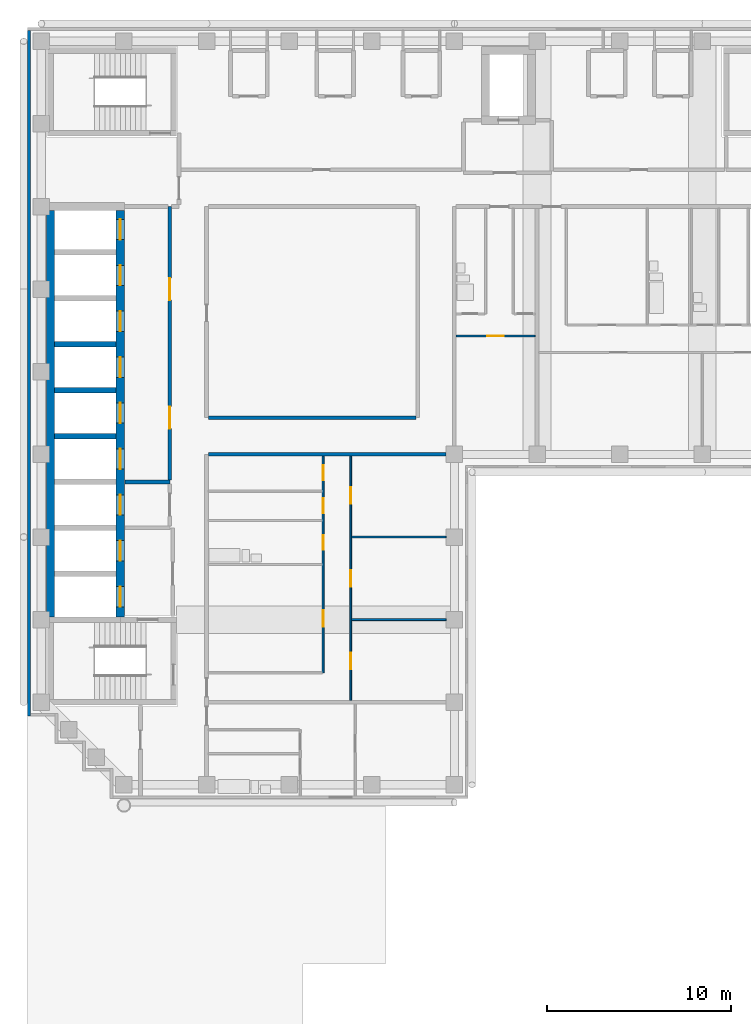
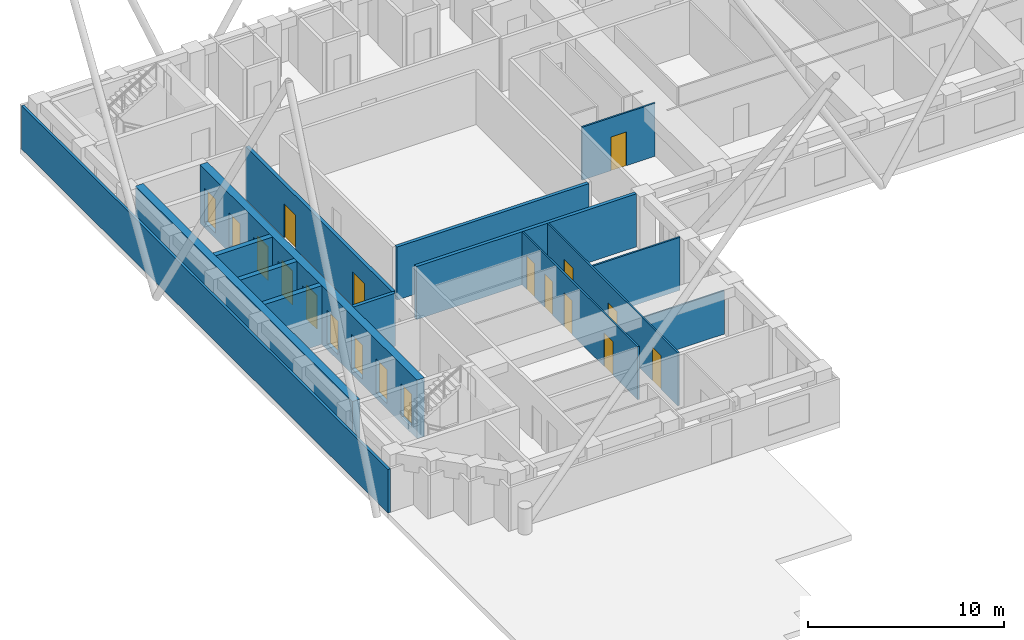
# One storey, part 3 of 9: 19 doors, 15 walls, 19 openings.
"""IFC4 building model written with IfcOpenShell, lengths in metres."""

from ifc_helpers import new_model, si_unit, direction, frame, frame_2d, origin, place, context, subcontext, project, spatial, rectangle, extrude, material, layer, layer_set, type_object, element, fill, save


model = new_model("IFC4")

# Units and contexts
model_context = context("Model", 3, precision=1e-05, world=origin(), true_north=direction((0.0, 1.0)))
body_context = subcontext(model_context, "Body", "Model", "MODEL_VIEW")
ifc_project = project(units=[si_unit("LENGTHUNIT", "METRE"), si_unit("AREAUNIT", "SQUARE_METRE"), si_unit("VOLUMEUNIT", "CUBIC_METRE"), si_unit("PLANEANGLEUNIT", "RADIAN"), si_unit("MASSUNIT", "GRAM", prefix="KILO")], contexts=[model_context])

# Site, building, storey
site_placement = place(None, origin())
site = spatial("IfcSite", under=ifc_project, at=site_placement, CompositionType="ELEMENT")
building_placement = place(site_placement, origin())
building = spatial("IfcBuilding", under=site, at=building_placement, Name="Firuza Court", CompositionType="ELEMENT")
storey_placement = place(building_placement, frame((0.0, 0.0, 211.39990234375)))
storey = spatial("IfcBuildingStorey", under=building, at=storey_placement, Name="L54", CompositionType="ELEMENT", Elevation=211.39990234375)

# Walls
ifc_material_1 = material(Name="Concrete C50/60", Category="concrete")
ifc_layer_1 = layer(ifc_material_1, 0.300048828125)
ifc_layer_set_1 = layer_set([ifc_layer_1], Name="Concrete C50/60")
wall_type_1 = type_object("IfcWallType", Name="Core wall 300 C50/60", PredefinedType="SHEAR", material=ifc_layer_set_1)
for number, where, z_axis, x_axis, name in (
    (1, (0.72509765625, 37.0, -0.349853515625), (0.0, 0.0, 1.0), (1.0, 0.0, 0.0), "Core wall lift shaft L54"),
    (2, (0.72509765625, 39.5, -0.349853515625), (0.0, 0.0, 1.0), (1.0, 0.0, 0.0), "Core wall lift shaft L54"),
    (3, (0.72509765625, 42.0, -0.349853515625), (0.0, 0.0, 1.0), (1.0, 0.0, 0.0), "Core wall lift shaft L54"),
):
    element("IfcWall", number, at=place(storey_placement, frame(where, z_axis=z_axis, x_axis=x_axis)), inside=storey, type_object=wall_type_1, Name=name, PredefinedType="SHEAR", context=body_context, shape_type="SweptSolid", body=[
        extrude(rectangle(XDim=3.349853515625, YDim=0.300048828125, at=frame_2d((1.6748046875, 0.0))), origin(), (0.0, 0.0, 1.0), 3.64990234375),
    ])
ifc_layer_2 = layer(ifc_material_1, 0.449951171875)
ifc_layer_set_2 = layer_set([ifc_layer_2], Name="Concrete C50/60")
wall_type_2 = type_object("IfcWallType", Name="Core wall 450 C50/60", PredefinedType="SHEAR", material=ifc_layer_set_2)
wall_1_placement = place(storey_placement, frame((0.5, 27.14990234375, -0.349853515625), z_axis=(0.0, 0.0, 1.0), x_axis=(0.0, 1.0, 0.0)))
element("IfcWall", 4, at=wall_1_placement, inside=storey, type_object=wall_type_2, Name="Core wall lift shaft L54", PredefinedType="SHEAR", context=body_context, shape_type="SweptSolid", body=[
    extrude(rectangle(XDim=22.125, YDim=0.449951171875, at=frame_2d((11.0625, 0.0))), origin(), (0.0, 0.0, 1.0), 3.64990234375),
])

# Wall, openings, doors
wall_2_placement = place(storey_placement, frame((4.300048828125, 27.14990234375, -0.349853515625), z_axis=(0.0, 0.0, 1.0), x_axis=(0.0, 1.0, 0.0)))
wall_2 = element("IfcWall", 5, at=wall_2_placement, inside=storey, type_object=wall_type_2, Name="Core wall lift shaft L54", PredefinedType="SHEAR", context=body_context, shape_type="SweptSolid", body=[
    extrude(rectangle(XDim=22.125, YDim=0.449951171875, at=frame_2d((11.0625, 0.0))), origin(), (0.0, 0.0, 1.0), 3.64990234375),
])
opening_1_placement = place(wall_2_placement, frame((3.050048828125, 0.0, 0.35009765625)))
opening_1 = element("IfcOpeningElement", 6, at=opening_1_placement, cuts=wall_2, Name="Opening LD-FL1-54", PredefinedType="OPENING", context=body_context, shape_type="SweptSolid", body=[
    extrude(rectangle(XDim=1.10009765625, YDim=2.10009765625, at=frame_2d((0.550048828125, 1.050048828125))), frame((0.0, 0.23681640625, 0.0), z_axis=(0.0, -1.0, 0.0), x_axis=(1.0, 0.0, 0.0)), (0.0, 0.0, 1.0), 0.473876953125),
])
opening_2_placement = place(wall_2_placement, frame((0.550048828125, 0.0, 0.35009765625)))
opening_2 = element("IfcOpeningElement", 7, at=opening_2_placement, cuts=wall_2, Name="Opening LD-FL2-54", PredefinedType="OPENING", context=body_context, shape_type="SweptSolid", body=[
    extrude(rectangle(XDim=1.10009765625, YDim=2.10009765625, at=frame_2d((0.550048828125, 1.050048828125))), frame((0.0, 0.23681640625, 0.0), z_axis=(0.0, -1.0, 0.0), x_axis=(1.0, 0.0, 0.0)), (0.0, 0.0, 1.0), 0.473876953125),
])
opening_3_placement = place(wall_2_placement, frame((20.550048828125, 0.0, 0.35009765625)))
opening_3 = element("IfcOpeningElement", 8, at=opening_3_placement, cuts=wall_2, Name="Opening LD-HB1-54", PredefinedType="OPENING", context=body_context, shape_type="SweptSolid", body=[
    extrude(rectangle(XDim=1.10009765625, YDim=2.10009765625, at=frame_2d((0.550048828125, 1.050048828125))), frame((0.0, 0.23681640625, 0.0), z_axis=(0.0, -1.0, 0.0), x_axis=(1.0, 0.0, 0.0)), (0.0, 0.0, 1.0), 0.473876953125),
])
opening_4_placement = place(wall_2_placement, frame((18.050048828125, 0.0, 0.35009765625)))
opening_4 = element("IfcOpeningElement", 9, at=opening_4_placement, cuts=wall_2, Name="Opening LD-HB2-54", PredefinedType="OPENING", context=body_context, shape_type="SweptSolid", body=[
    extrude(rectangle(XDim=1.10009765625, YDim=2.10009765625, at=frame_2d((0.550048828125, 1.050048828125))), frame((0.0, 0.23681640625, 0.0), z_axis=(0.0, -1.0, 0.0), x_axis=(1.0, 0.0, 0.0)), (0.0, 0.0, 1.0), 0.473876953125),
])
opening_5_placement = place(wall_2_placement, frame((15.550048828125, 0.0, 0.35009765625)))
opening_5 = element("IfcOpeningElement", 10, at=opening_5_placement, cuts=wall_2, Name="Opening LD-HB3-54", PredefinedType="OPENING", context=body_context, shape_type="SweptSolid", body=[
    extrude(rectangle(XDim=1.10009765625, YDim=2.10009765625, at=frame_2d((0.550048828125, 1.050048828125))), frame((0.0, 0.23681640625, 0.0), z_axis=(0.0, -1.0, 0.0), x_axis=(1.0, 0.0, 0.0)), (0.0, 0.0, 1.0), 0.473876953125),
])
opening_6_placement = place(wall_2_placement, frame((13.050048828125, 0.0, 0.35009765625)))
opening_6 = element("IfcOpeningElement", 11, at=opening_6_placement, cuts=wall_2, Name="Opening LD-HB4-54", PredefinedType="OPENING", context=body_context, shape_type="SweptSolid", body=[
    extrude(rectangle(XDim=1.10009765625, YDim=2.10009765625, at=frame_2d((0.550048828125, 1.050048828125))), frame((0.0, 0.23681640625, 0.0), z_axis=(0.0, -1.0, 0.0), x_axis=(1.0, 0.0, 0.0)), (0.0, 0.0, 1.0), 0.473876953125),
])
opening_7_placement = place(wall_2_placement, frame((10.550048828125, 0.0, 0.35009765625)))
opening_7 = element("IfcOpeningElement", 12, at=opening_7_placement, cuts=wall_2, Name="Opening LD-HB5-54", PredefinedType="OPENING", context=body_context, shape_type="SweptSolid", body=[
    extrude(rectangle(XDim=1.10009765625, YDim=2.10009765625, at=frame_2d((0.550048828125, 1.050048828125))), frame((0.0, 0.23681640625, 0.0), z_axis=(0.0, -1.0, 0.0), x_axis=(1.0, 0.0, 0.0)), (0.0, 0.0, 1.0), 0.473876953125),
])
opening_8_placement = place(wall_2_placement, frame((8.050048828125, 0.0, 0.35009765625)))
opening_8 = element("IfcOpeningElement", 13, at=opening_8_placement, cuts=wall_2, Name="Opening LD-HB6-54", PredefinedType="OPENING", context=body_context, shape_type="SweptSolid", body=[
    extrude(rectangle(XDim=1.10009765625, YDim=2.10009765625, at=frame_2d((0.550048828125, 1.050048828125))), frame((0.0, 0.23681640625, 0.0), z_axis=(0.0, -1.0, 0.0), x_axis=(1.0, 0.0, 0.0)), (0.0, 0.0, 1.0), 0.473876953125),
])
opening_9_placement = place(wall_2_placement, frame((5.550048828125, 0.0, 0.35009765625)))
opening_9 = element("IfcOpeningElement", 14, at=opening_9_placement, cuts=wall_2, Name="Opening LD-SL1-54", PredefinedType="OPENING", context=body_context, shape_type="SweptSolid", body=[
    extrude(rectangle(XDim=1.10009765625, YDim=2.10009765625, at=frame_2d((0.550048828125, 1.050048828125))), frame((0.0, 0.23681640625, 0.0), z_axis=(0.0, -1.0, 0.0), x_axis=(1.0, 0.0, 0.0)), (0.0, 0.0, 1.0), 0.473876953125),
])
ifc_material_2 = material(Name="Stainless steel 1.4301 door leaf", Category="steel")
door_type_1 = type_object("IfcDoorType", Name="Lift landing door 1100", OperationType="SLIDING_TO_LEFT", PredefinedType="DOOR", material=ifc_material_2)
door_1_placement = place(opening_1_placement, origin())
door_1 = element("IfcDoor", 15, at=door_1_placement, inside=storey, type_object=door_type_1, Name="Landing door FL1", OperationType="SLIDING_TO_LEFT", OverallHeight=2.10009765625, OverallWidth=1.10009765625, PredefinedType="DOOR", context=body_context, shape_type="SweptSolid", body=[
    extrude(rectangle(XDim=1.10009765625, YDim=2.10009765625, at=frame_2d((0.550048828125, 1.050048828125))), frame((0.0, 0.02490234375, 0.0), z_axis=(0.0, -1.0, 0.0), x_axis=(1.0, 0.0, 0.0)), (0.0, 0.0, 1.0), 0.050048828125),
])
fill(opening_1, door_1)
door_2_placement = place(opening_2_placement, origin())
door_2 = element("IfcDoor", 16, at=door_2_placement, inside=storey, type_object=door_type_1, Name="Landing door FL2", OperationType="SLIDING_TO_LEFT", OverallHeight=2.10009765625, OverallWidth=1.10009765625, PredefinedType="DOOR", context=body_context, shape_type="SweptSolid", body=[
    extrude(rectangle(XDim=1.10009765625, YDim=2.10009765625, at=frame_2d((0.550048828125, 1.050048828125))), frame((0.0, 0.02490234375, 0.0), z_axis=(0.0, -1.0, 0.0), x_axis=(1.0, 0.0, 0.0)), (0.0, 0.0, 1.0), 0.050048828125),
])
fill(opening_2, door_2)
door_3_placement = place(opening_3_placement, origin())
door_3 = element("IfcDoor", 17, at=door_3_placement, inside=storey, type_object=door_type_1, Name="Landing door HB1", OperationType="SLIDING_TO_LEFT", OverallHeight=2.10009765625, OverallWidth=1.10009765625, PredefinedType="DOOR", context=body_context, shape_type="SweptSolid", body=[
    extrude(rectangle(XDim=1.10009765625, YDim=2.10009765625, at=frame_2d((0.550048828125, 1.050048828125))), frame((0.0, 0.02490234375, 0.0), z_axis=(0.0, -1.0, 0.0), x_axis=(1.0, 0.0, 0.0)), (0.0, 0.0, 1.0), 0.050048828125),
])
fill(opening_3, door_3)
door_4_placement = place(opening_4_placement, origin())
door_4 = element("IfcDoor", 18, at=door_4_placement, inside=storey, type_object=door_type_1, Name="Landing door HB2", OperationType="SLIDING_TO_LEFT", OverallHeight=2.10009765625, OverallWidth=1.10009765625, PredefinedType="DOOR", context=body_context, shape_type="SweptSolid", body=[
    extrude(rectangle(XDim=1.10009765625, YDim=2.10009765625, at=frame_2d((0.550048828125, 1.050048828125))), frame((0.0, 0.02490234375, 0.0), z_axis=(0.0, -1.0, 0.0), x_axis=(1.0, 0.0, 0.0)), (0.0, 0.0, 1.0), 0.050048828125),
])
fill(opening_4, door_4)
door_5_placement = place(opening_5_placement, origin())
door_5 = element("IfcDoor", 19, at=door_5_placement, inside=storey, type_object=door_type_1, Name="Landing door HB3", OperationType="SLIDING_TO_LEFT", OverallHeight=2.10009765625, OverallWidth=1.10009765625, PredefinedType="DOOR", context=body_context, shape_type="SweptSolid", body=[
    extrude(rectangle(XDim=1.10009765625, YDim=2.10009765625, at=frame_2d((0.550048828125, 1.050048828125))), frame((0.0, 0.02490234375, 0.0), z_axis=(0.0, -1.0, 0.0), x_axis=(1.0, 0.0, 0.0)), (0.0, 0.0, 1.0), 0.050048828125),
])
fill(opening_5, door_5)
door_6_placement = place(opening_6_placement, origin())
door_6 = element("IfcDoor", 20, at=door_6_placement, inside=storey, type_object=door_type_1, Name="Landing door HB4", OperationType="SLIDING_TO_LEFT", OverallHeight=2.10009765625, OverallWidth=1.10009765625, PredefinedType="DOOR", context=body_context, shape_type="SweptSolid", body=[
    extrude(rectangle(XDim=1.10009765625, YDim=2.10009765625, at=frame_2d((0.550048828125, 1.050048828125))), frame((0.0, 0.02490234375, 0.0), z_axis=(0.0, -1.0, 0.0), x_axis=(1.0, 0.0, 0.0)), (0.0, 0.0, 1.0), 0.050048828125),
])
fill(opening_6, door_6)
door_7_placement = place(opening_7_placement, origin())
door_7 = element("IfcDoor", 21, at=door_7_placement, inside=storey, type_object=door_type_1, Name="Landing door HB5", OperationType="SLIDING_TO_LEFT", OverallHeight=2.10009765625, OverallWidth=1.10009765625, PredefinedType="DOOR", context=body_context, shape_type="SweptSolid", body=[
    extrude(rectangle(XDim=1.10009765625, YDim=2.10009765625, at=frame_2d((0.550048828125, 1.050048828125))), frame((0.0, 0.02490234375, 0.0), z_axis=(0.0, -1.0, 0.0), x_axis=(1.0, 0.0, 0.0)), (0.0, 0.0, 1.0), 0.050048828125),
])
fill(opening_7, door_7)
door_8_placement = place(opening_8_placement, origin())
door_8 = element("IfcDoor", 22, at=door_8_placement, inside=storey, type_object=door_type_1, Name="Landing door HB6", OperationType="SLIDING_TO_LEFT", OverallHeight=2.10009765625, OverallWidth=1.10009765625, PredefinedType="DOOR", context=body_context, shape_type="SweptSolid", body=[
    extrude(rectangle(XDim=1.10009765625, YDim=2.10009765625, at=frame_2d((0.550048828125, 1.050048828125))), frame((0.0, 0.02490234375, 0.0), z_axis=(0.0, -1.0, 0.0), x_axis=(1.0, 0.0, 0.0)), (0.0, 0.0, 1.0), 0.050048828125),
])
fill(opening_8, door_8)
door_9_placement = place(opening_9_placement, origin())
door_9 = element("IfcDoor", 23, at=door_9_placement, inside=storey, type_object=door_type_1, Name="Landing door SL1", OperationType="SLIDING_TO_LEFT", OverallHeight=2.10009765625, OverallWidth=1.10009765625, PredefinedType="DOOR", context=body_context, shape_type="SweptSolid", body=[
    extrude(rectangle(XDim=1.10009765625, YDim=2.10009765625, at=frame_2d((0.550048828125, 1.050048828125))), frame((0.0, 0.02490234375, 0.0), z_axis=(0.0, -1.0, 0.0), x_axis=(1.0, 0.0, 0.0)), (0.0, 0.0, 1.0), 0.050048828125),
])
fill(opening_9, door_9)

# Wall
ifc_material_3 = material(Name="Blockwork, plastered both sides", Category="masonry")
ifc_layer_3 = layer(ifc_material_3, 0.199951171875)
ifc_layer_set_3 = layer_set([ifc_layer_3], Name="Blockwork, plastered both sides")
wall_type_3 = type_object("IfcWallType", Name="Corridor wall 200", PredefinedType="PARTITIONING", material=ifc_layer_set_3)
wall_3_placement = place(storey_placement, frame((9.10009765625, 38.0, 0.0), z_axis=(0.0, 0.0, 1.0), x_axis=(1.0, 0.0, 0.0)))
element("IfcWall", 24, at=wall_3_placement, inside=storey, type_object=wall_type_3, Name="Corridor wall 200 L54", PredefinedType="PARTITIONING", context=body_context, shape_type="SweptSolid", body=[
    extrude(rectangle(XDim=11.2998046875, YDim=0.199951171875, at=frame_2d((5.64990234375, 0.0))), origin(), (0.0, 0.0, 1.0), 3.300048828125),
])

# Wall, openings, doors
ifc_material_4 = material(Name="Timber stud partition, plasterboard both sides", Category="wood")
ifc_layer_4 = layer(ifc_material_4, 0.10009765625)
ifc_layer_set_4 = layer_set([ifc_layer_4], Name="Timber stud partition, plasterboard both sides")
wall_type_4 = type_object("IfcWallType", Name="Partition wall 100", PredefinedType="PARTITIONING", material=ifc_layer_set_4)
wall_4_placement = place(storey_placement, frame((16.85009765625, 22.60009765625, 0.0), z_axis=(0.0, 0.0, 1.0), x_axis=(0.0, 1.0, 0.0)))
wall_4 = element("IfcWall", 25, at=wall_4_placement, inside=storey, type_object=wall_type_4, Name="Partition wall 100 L54", PredefinedType="PARTITIONING", context=body_context, shape_type="SweptSolid", body=[
    extrude(rectangle(XDim=13.2998046875, YDim=0.10009765625, at=frame_2d((6.64990234375, 0.0))), origin(), (0.0, 0.0, 1.0), 3.300048828125),
])
opening_10_placement = place(wall_4_placement, frame((1.699951171875, 0.0, 0.0)))
opening_10 = element("IfcOpeningElement", 26, at=opening_10_placement, cuts=wall_4, Name="Opening D54019", PredefinedType="OPENING", context=body_context, shape_type="SweptSolid", body=[
    extrude(rectangle(XDim=0.89990234375, YDim=2.10009765625, at=frame_2d((0.449951171875, 1.050048828125))), frame((0.0, 0.06201171875, 0.0), z_axis=(0.0, -1.0, 0.0), x_axis=(1.0, 0.0, 0.0)), (0.0, 0.0, 1.0), 0.1240234375),
])
opening_11_placement = place(wall_4_placement, frame((6.199951171875, 0.0, 0.0)))
opening_11 = element("IfcOpeningElement", 27, at=opening_11_placement, cuts=wall_4, Name="Opening D54020", PredefinedType="OPENING", context=body_context, shape_type="SweptSolid", body=[
    extrude(rectangle(XDim=0.89990234375, YDim=2.10009765625, at=frame_2d((0.449951171875, 1.050048828125))), frame((0.0, 0.06201171875, 0.0), z_axis=(0.0, -1.0, 0.0), x_axis=(1.0, 0.0, 0.0)), (0.0, 0.0, 1.0), 0.1240234375),
])
opening_12_placement = place(wall_4_placement, frame((10.699951171875, 0.0, 0.0)))
opening_12 = element("IfcOpeningElement", 28, at=opening_12_placement, cuts=wall_4, Name="Opening D54021", PredefinedType="OPENING", context=body_context, shape_type="SweptSolid", body=[
    extrude(rectangle(XDim=0.89990234375, YDim=2.10009765625, at=frame_2d((0.449951171875, 1.050048828125))), frame((0.0, 0.06201171875, 0.0), z_axis=(0.0, -1.0, 0.0), x_axis=(1.0, 0.0, 0.0)), (0.0, 0.0, 1.0), 0.1240234375),
])
ifc_material_5 = material(Name="Timber door leaf in hardwood frame", Category="wood")
door_type_2 = type_object("IfcDoorType", Name="Room door 900", OperationType="SINGLE_SWING_LEFT", PredefinedType="DOOR", material=ifc_material_5)
door_10_placement = place(opening_10_placement, frame((0.89990234375, 0.0, 0.0), z_axis=(0.0, 0.0, 1.0), x_axis=(-1.0, 0.0, 0.0)))
door_10 = element("IfcDoor", 29, at=door_10_placement, inside=storey, type_object=door_type_2, Name="Living room door", OperationType="SINGLE_SWING_RIGHT", OverallHeight=2.10009765625, OverallWidth=0.89990234375, PredefinedType="DOOR", context=body_context, shape_type="SweptSolid", body=[
    extrude(rectangle(XDim=0.89990234375, YDim=2.10009765625, at=frame_2d((0.449951171875, 1.050048828125))), frame((0.0, 0.02490234375, 0.0), z_axis=(0.0, -1.0, 0.0), x_axis=(1.0, 0.0, 0.0)), (0.0, 0.0, 1.0), 0.050048828125),
])
fill(opening_10, door_10)
door_11_placement = place(opening_11_placement, frame((0.89990234375, 0.0, 0.0), z_axis=(0.0, 0.0, 1.0), x_axis=(-1.0, 0.0, 0.0)))
door_11 = element("IfcDoor", 30, at=door_11_placement, inside=storey, type_object=door_type_2, Name="Bedroom door", OperationType="SINGLE_SWING_RIGHT", OverallHeight=2.10009765625, OverallWidth=0.89990234375, PredefinedType="DOOR", context=body_context, shape_type="SweptSolid", body=[
    extrude(rectangle(XDim=0.89990234375, YDim=2.10009765625, at=frame_2d((0.449951171875, 1.050048828125))), frame((0.0, 0.02490234375, 0.0), z_axis=(0.0, -1.0, 0.0), x_axis=(1.0, 0.0, 0.0)), (0.0, 0.0, 1.0), 0.050048828125),
])
fill(opening_11, door_11)
door_12_placement = place(opening_12_placement, frame((0.89990234375, 0.0, 0.0), z_axis=(0.0, 0.0, 1.0), x_axis=(-1.0, 0.0, 0.0)))
door_12 = element("IfcDoor", 31, at=door_12_placement, inside=storey, type_object=door_type_2, Name="Bedroom door", OperationType="SINGLE_SWING_RIGHT", OverallHeight=2.10009765625, OverallWidth=0.89990234375, PredefinedType="DOOR", context=body_context, shape_type="SweptSolid", body=[
    extrude(rectangle(XDim=0.89990234375, YDim=2.10009765625, at=frame_2d((0.449951171875, 1.050048828125))), frame((0.0, 0.02490234375, 0.0), z_axis=(0.0, -1.0, 0.0), x_axis=(1.0, 0.0, 0.0)), (0.0, 0.0, 1.0), 0.050048828125),
])
fill(opening_12, door_12)

wall_5_placement = place(storey_placement, frame((15.35009765625, 24.10009765625, 0.0), z_axis=(0.0, 0.0, 1.0), x_axis=(0.0, 1.0, 0.0)))
wall_5 = element("IfcWall", 32, at=wall_5_placement, inside=storey, type_object=wall_type_4, Name="Partition wall 100 L54", PredefinedType="PARTITIONING", context=body_context, shape_type="SweptSolid", body=[
    extrude(rectangle(XDim=11.7998046875, YDim=0.10009765625, at=frame_2d((5.89990234375, 0.0))), origin(), (0.0, 0.0, 1.0), 3.300048828125),
])
opening_13_placement = place(wall_5_placement, frame((6.699951171875, 0.0, 0.0)))
opening_13 = element("IfcOpeningElement", 33, at=opening_13_placement, cuts=wall_5, Name="Opening D54022", PredefinedType="OPENING", context=body_context, shape_type="SweptSolid", body=[
    extrude(rectangle(XDim=0.800048828125, YDim=2.10009765625, at=frame_2d((0.39990234375, 1.050048828125))), frame((0.0, 0.06201171875, 0.0), z_axis=(0.0, -1.0, 0.0), x_axis=(1.0, 0.0, 0.0)), (0.0, 0.0, 1.0), 0.1240234375),
])
opening_14_placement = place(wall_5_placement, frame((2.5, 0.0, 0.0)))
opening_14 = element("IfcOpeningElement", 34, at=opening_14_placement, cuts=wall_5, Name="Opening D54023", PredefinedType="OPENING", context=body_context, shape_type="SweptSolid", body=[
    extrude(rectangle(XDim=0.89990234375, YDim=2.10009765625, at=frame_2d((0.449951171875, 1.050048828125))), frame((0.0, 0.06201171875, 0.0), z_axis=(0.0, -1.0, 0.0), x_axis=(1.0, 0.0, 0.0)), (0.0, 0.0, 1.0), 0.1240234375),
])
opening_15_placement = place(wall_5_placement, frame((8.699951171875, 0.0, 0.0)))
opening_15 = element("IfcOpeningElement", 35, at=opening_15_placement, cuts=wall_5, Name="Opening D54024", PredefinedType="OPENING", context=body_context, shape_type="SweptSolid", body=[
    extrude(rectangle(XDim=0.800048828125, YDim=2.10009765625, at=frame_2d((0.39990234375, 1.050048828125))), frame((0.0, 0.06201171875, 0.0), z_axis=(0.0, -1.0, 0.0), x_axis=(1.0, 0.0, 0.0)), (0.0, 0.0, 1.0), 0.1240234375),
])
opening_16_placement = place(wall_5_placement, frame((10.5, 0.0, 0.0)))
opening_16 = element("IfcOpeningElement", 36, at=opening_16_placement, cuts=wall_5, Name="Opening D54025", PredefinedType="OPENING", context=body_context, shape_type="SweptSolid", body=[
    extrude(rectangle(XDim=0.800048828125, YDim=2.10009765625, at=frame_2d((0.39990234375, 1.050048828125))), frame((0.0, 0.06201171875, 0.0), z_axis=(0.0, -1.0, 0.0), x_axis=(1.0, 0.0, 0.0)), (0.0, 0.0, 1.0), 0.1240234375),
])
ifc_material_6 = material(Name="Timber door leaf in hardwood frame", Category="wood")
door_type_3 = type_object("IfcDoorType", Name="Bathroom door 800", OperationType="SINGLE_SWING_LEFT", PredefinedType="DOOR", material=ifc_material_6)
door_13_placement = place(opening_13_placement, origin())
door_13 = element("IfcDoor", 37, at=door_13_placement, inside=storey, type_object=door_type_3, Name="Bathroom door", OperationType="SINGLE_SWING_LEFT", OverallHeight=2.10009765625, OverallWidth=0.800048828125, PredefinedType="DOOR", context=body_context, shape_type="SweptSolid", body=[
    extrude(rectangle(XDim=0.800048828125, YDim=2.10009765625, at=frame_2d((0.39990234375, 1.050048828125))), frame((0.0, 0.02490234375, 0.0), z_axis=(0.0, -1.0, 0.0), x_axis=(1.0, 0.0, 0.0)), (0.0, 0.0, 1.0), 0.050048828125),
])
fill(opening_13, door_13)
ifc_material_7 = material(Name="Timber door leaf in hardwood frame", Category="wood")
door_type_4 = type_object("IfcDoorType", Name="Room door 800", OperationType="SINGLE_SWING_LEFT", PredefinedType="DOOR", material=ifc_material_7)
door_14_placement = place(opening_15_placement, origin())
door_14 = element("IfcDoor", 38, at=door_14_placement, inside=storey, type_object=door_type_4, Name="Store door", OperationType="SINGLE_SWING_LEFT", OverallHeight=2.10009765625, OverallWidth=0.800048828125, PredefinedType="DOOR", context=body_context, shape_type="SweptSolid", body=[
    extrude(rectangle(XDim=0.800048828125, YDim=2.10009765625, at=frame_2d((0.39990234375, 1.050048828125))), frame((0.0, 0.02490234375, 0.0), z_axis=(0.0, -1.0, 0.0), x_axis=(1.0, 0.0, 0.0)), (0.0, 0.0, 1.0), 0.050048828125),
])
fill(opening_15, door_14)
door_15_placement = place(opening_16_placement, origin())
door_15 = element("IfcDoor", 39, at=door_15_placement, inside=storey, type_object=door_type_4, Name="Utility room door", OperationType="SINGLE_SWING_LEFT", OverallHeight=2.10009765625, OverallWidth=0.800048828125, PredefinedType="DOOR", context=body_context, shape_type="SweptSolid", body=[
    extrude(rectangle(XDim=0.800048828125, YDim=2.10009765625, at=frame_2d((0.39990234375, 1.050048828125))), frame((0.0, 0.02490234375, 0.0), z_axis=(0.0, -1.0, 0.0), x_axis=(1.0, 0.0, 0.0)), (0.0, 0.0, 1.0), 0.050048828125),
])
fill(opening_16, door_15)
door_16_placement = place(opening_14_placement, origin())
door_16 = element("IfcDoor", 40, at=door_16_placement, inside=storey, type_object=door_type_2, Name="Kitchen door", OperationType="SINGLE_SWING_LEFT", OverallHeight=2.10009765625, OverallWidth=0.89990234375, PredefinedType="DOOR", context=body_context, shape_type="SweptSolid", body=[
    extrude(rectangle(XDim=0.89990234375, YDim=2.10009765625, at=frame_2d((0.449951171875, 1.050048828125))), frame((0.0, 0.02490234375, 0.0), z_axis=(0.0, -1.0, 0.0), x_axis=(1.0, 0.0, 0.0)), (0.0, 0.0, 1.0), 0.050048828125),
])
fill(opening_14, door_16)

# Walls
wall_6_placement = place(storey_placement, frame((16.89990234375, 27.0, 0.0), z_axis=(0.0, 0.0, 1.0), x_axis=(1.0, 0.0, 0.0)))
element("IfcWall", 41, at=wall_6_placement, inside=storey, type_object=wall_type_4, Name="Partition wall 100 L54", PredefinedType="PARTITIONING", context=body_context, shape_type="SweptSolid", body=[
    extrude(rectangle(XDim=5.150146484375, YDim=0.10009765625, at=frame_2d((2.5751953125, 0.0))), origin(), (0.0, 0.0, 1.0), 2.7001953125),
])
wall_7_placement = place(storey_placement, frame((16.89990234375, 31.5, 0.0), z_axis=(0.0, 0.0, 1.0), x_axis=(1.0, 0.0, 0.0)))
element("IfcWall", 42, at=wall_7_placement, inside=storey, type_object=wall_type_4, Name="Partition wall 100 L54", PredefinedType="PARTITIONING", context=body_context, shape_type="SweptSolid", body=[
    extrude(rectangle(XDim=5.150146484375, YDim=0.10009765625, at=frame_2d((2.5751953125, 0.0))), origin(), (0.0, 0.0, 1.0), 3.300048828125),
])

# Wall, opening, door
wall_8_placement = place(storey_placement, frame((22.60009765625, 42.449951171875, 0.0), z_axis=(0.0, 0.0, 1.0), x_axis=(1.0, 0.0, 0.0)))
wall_8 = element("IfcWall", 43, at=wall_8_placement, inside=storey, type_object=wall_type_4, Name="Partition wall 100 L54", PredefinedType="PARTITIONING", context=body_context, shape_type="SweptSolid", body=[
    extrude(rectangle(XDim=4.2998046875, YDim=0.10009765625, at=frame_2d((2.14990234375, 0.0))), origin(), (0.0, 0.0, 1.0), 3.300048828125),
])
opening_17_placement = place(wall_8_placement, frame((1.699951171875, 0.0, 0.0)))
opening_17 = element("IfcOpeningElement", 44, at=opening_17_placement, cuts=wall_8, Name="Opening D54032", PredefinedType="OPENING", context=body_context, shape_type="SweptSolid", body=[
    extrude(rectangle(XDim=0.89990234375, YDim=2.10009765625, at=frame_2d((0.449951171875, 1.050048828125))), frame((0.0, 0.06201171875, 0.0), z_axis=(0.0, -1.0, 0.0), x_axis=(1.0, 0.0, 0.0)), (0.0, 0.0, 1.0), 0.1240234375),
])
door_17_placement = place(opening_17_placement, frame((0.89990234375, 0.0, 0.0), z_axis=(0.0, 0.0, 1.0), x_axis=(-1.0, 0.0, 0.0)))
door_17 = element("IfcDoor", 45, at=door_17_placement, inside=storey, type_object=door_type_2, Name="Studio room door", OperationType="SINGLE_SWING_RIGHT", OverallHeight=2.10009765625, OverallWidth=0.89990234375, PredefinedType="DOOR", context=body_context, shape_type="SweptSolid", body=[
    extrude(rectangle(XDim=0.89990234375, YDim=2.10009765625, at=frame_2d((0.449951171875, 1.050048828125))), frame((0.0, 0.02490234375, 0.0), z_axis=(0.0, -1.0, 0.0), x_axis=(1.0, 0.0, 0.0)), (0.0, 0.0, 1.0), 0.050048828125),
])
fill(opening_17, door_17)

# Walls
ifc_layer_5 = layer(ifc_material_3, 0.199951171875)
ifc_layer_set_5 = layer_set([ifc_layer_5], Name="Blockwork, plastered both sides")
wall_type_5 = type_object("IfcWallType", Name="Party wall 200", PredefinedType="PARTITIONING", material=ifc_layer_set_5)
wall_9_placement = place(storey_placement, frame((9.10009765625, 36.0, 0.0), z_axis=(0.0, 0.0, 1.0), x_axis=(1.0, 0.0, 0.0)))
element("IfcWall", 46, at=wall_9_placement, inside=storey, type_object=wall_type_5, Name="Party wall 200 L54", PredefinedType="PARTITIONING", context=body_context, shape_type="SweptSolid", body=[
    extrude(rectangle(XDim=12.949951171875, YDim=0.199951171875, at=frame_2d((6.47509765625, 0.0))), origin(), (0.0, 0.0, 1.0), 3.300048828125),
])
ifc_material_8 = material(Name="Ceramic tile", Category="ceramic")
ifc_layer_6 = layer(ifc_material_8, 0.02001953125)
ifc_material_9 = material(Name="Mineral wool insulation", Category="insulation")
ifc_layer_7 = layer(ifc_material_9, 0.050048828125)
ifc_material_10 = material(Name="Concrete C40/50 precast", Category="concrete")
ifc_layer_8 = layer(ifc_material_10, 0.080078125)
ifc_layer_set_6 = layer_set([ifc_layer_6, ifc_layer_7, ifc_layer_8], Name="Concrete C40/50 precast")
wall_type_6 = type_object("IfcWallType", Name="Precast cladding wall with turquoise TILE PANEL face 150", PredefinedType="STANDARD", material=ifc_layer_set_6)
wall_10_placement = place(storey_placement, frame((-0.675048828125, 59.10009765625, 0.0), z_axis=(0.0, 0.0, 1.0), x_axis=(0.0, -1.0, 0.0)))
element("IfcWall", 47, at=wall_10_placement, inside=storey, type_object=wall_type_6, Name="Facade wall L54 W", PredefinedType="STANDARD", context=body_context, shape_type="SweptSolid", body=[
    extrude(rectangle(XDim=37.35009765625, YDim=0.14990234375, at=frame_2d((18.675048828125, 0.0))), origin(), (0.0, 0.0, 1.0), 2.7001953125),
])
ifc_material_11 = material(Name="Blockwork, fire-rated", Category="masonry")
ifc_layer_9 = layer(ifc_material_11, 0.199951171875)
ifc_layer_set_7 = layer_set([ifc_layer_9], Name="Blockwork, fire-rated")
wall_type_7 = type_object("IfcWallType", Name="Shaft wall 200", PredefinedType="PARTITIONING", material=ifc_layer_set_7)
wall_11_placement = place(storey_placement, frame((4.544921875, 34.5, 0.0), z_axis=(0.0, 0.0, 1.0), x_axis=(1.0, 0.0, 0.0)))
element("IfcWall", 48, at=wall_11_placement, inside=storey, type_object=wall_type_7, Name="Shaft wall 200 L54", PredefinedType="PARTITIONING", context=body_context, shape_type="SweptSolid", body=[
    extrude(rectangle(XDim=2.455078125, YDim=0.199951171875, at=frame_2d((1.2275390625, 0.0))), origin(), (0.0, 0.0, 1.0), 3.300048828125),
])

# Wall, openings, doors
wall_12_placement = place(storey_placement, frame((7.0, 34.60009765625, 0.0), z_axis=(0.0, 0.0, 1.0), x_axis=(0.0, 1.0, 0.0)))
wall_12 = element("IfcWall", 49, at=wall_12_placement, inside=storey, type_object=wall_type_7, Name="Shaft wall 200 L54", PredefinedType="PARTITIONING", context=body_context, shape_type="SweptSolid", body=[
    extrude(rectangle(XDim=14.89990234375, YDim=0.199951171875, at=frame_2d((7.449951171875, 0.0))), origin(), (0.0, 0.0, 1.0), 3.300048828125),
])
opening_18_placement = place(wall_12_placement, frame((2.800048828125, 0.0, 0.0)))
opening_18 = element("IfcOpeningElement", 50, at=opening_18_placement, cuts=wall_12, Name="Opening D54004", PredefinedType="OPENING", context=body_context, shape_type="SweptSolid", body=[
    extrude(rectangle(XDim=1.199951171875, YDim=2.10009765625, at=frame_2d((0.60009765625, 1.050048828125))), frame((0.0, 0.11181640625, 0.0), z_axis=(0.0, -1.0, 0.0), x_axis=(1.0, 0.0, 0.0)), (0.0, 0.0, 1.0), 0.223876953125),
])
opening_19_placement = place(wall_12_placement, frame((9.800048828125, 0.0, 0.0)))
opening_19 = element("IfcOpeningElement", 51, at=opening_19_placement, cuts=wall_12, Name="Opening D54005", PredefinedType="OPENING", context=body_context, shape_type="SweptSolid", body=[
    extrude(rectangle(XDim=1.199951171875, YDim=2.10009765625, at=frame_2d((0.60009765625, 1.050048828125))), frame((0.0, 0.11181640625, 0.0), z_axis=(0.0, -1.0, 0.0), x_axis=(1.0, 0.0, 0.0)), (0.0, 0.0, 1.0), 0.223876953125),
])
ifc_material_12 = material(Name="Timber door leaf in hardwood frame", Category="wood")
door_type_5 = type_object("IfcDoorType", Name="Lobby door 1200", OperationType="SINGLE_SWING_LEFT", PredefinedType="DOOR", material=ifc_material_12)
door_18_placement = place(opening_18_placement, origin())
door_18 = element("IfcDoor", 52, at=door_18_placement, inside=storey, type_object=door_type_5, Name="Lobby door", OperationType="SINGLE_SWING_LEFT", OverallHeight=2.10009765625, OverallWidth=1.199951171875, PredefinedType="DOOR", context=body_context, shape_type="SweptSolid", body=[
    extrude(rectangle(XDim=1.199951171875, YDim=2.10009765625, at=frame_2d((0.60009765625, 1.050048828125))), frame((0.0, 0.02490234375, 0.0), z_axis=(0.0, -1.0, 0.0), x_axis=(1.0, 0.0, 0.0)), (0.0, 0.0, 1.0), 0.050048828125),
])
fill(opening_18, door_18)
door_19_placement = place(opening_19_placement, origin())
door_19 = element("IfcDoor", 53, at=door_19_placement, inside=storey, type_object=door_type_5, Name="Lobby door", OperationType="SINGLE_SWING_RIGHT", OverallHeight=2.10009765625, OverallWidth=1.199951171875, PredefinedType="DOOR", context=body_context, shape_type="SweptSolid", body=[
    extrude(rectangle(XDim=1.199951171875, YDim=2.10009765625, at=frame_2d((0.60009765625, 1.050048828125))), frame((0.0, 0.02490234375, 0.0), z_axis=(0.0, -1.0, 0.0), x_axis=(1.0, 0.0, 0.0)), (0.0, 0.0, 1.0), 0.050048828125),
])
fill(opening_19, door_19)

save(model, "model.ifc")
